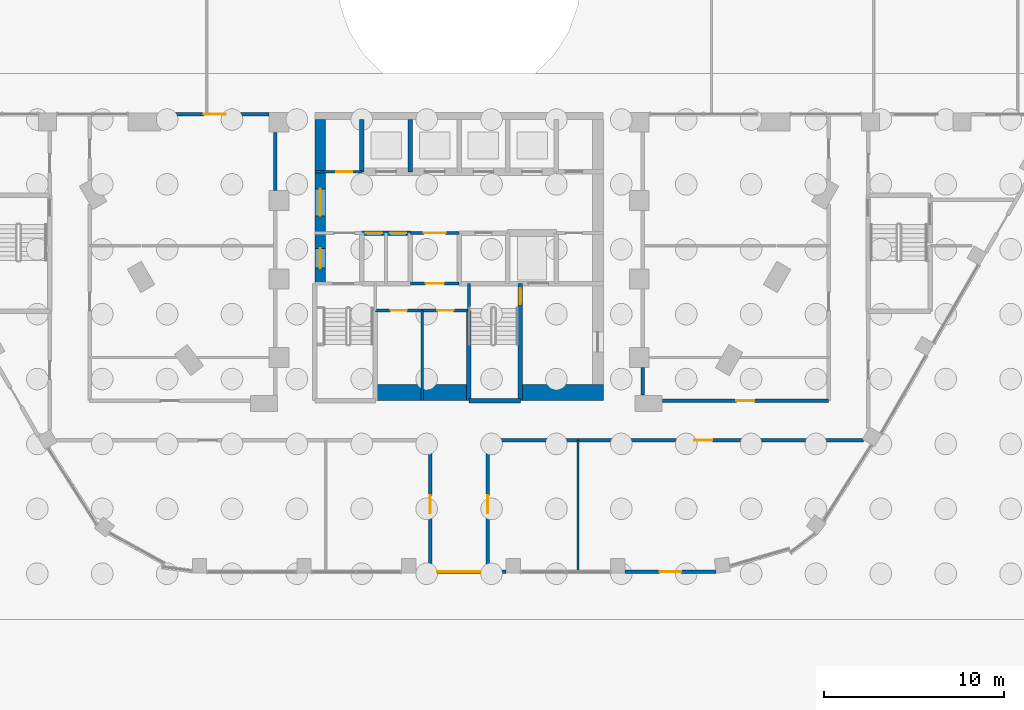
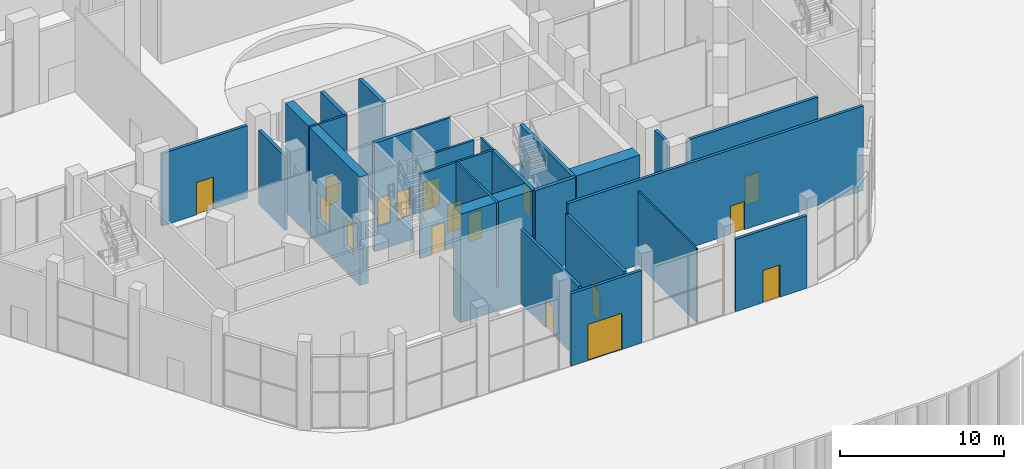
# One storey, part 25 of 44: 25 walls, 17 doors, 17 openings.
"""IFC4 building model written with IfcOpenShell, lengths in metres."""

from ifc_helpers import new_model, si_unit, direction, frame, frame_2d, origin, place, context, subcontext, project, spatial, rectangle, extrude, material, layer, layer_set, type_object, element, fill, save


model = new_model("IFC4")

# Units and contexts
model_context = context("Model", 3, precision=1e-05, world=origin(), true_north=direction((0.0, 1.0)))
body_context = subcontext(model_context, "Body", "Model", "MODEL_VIEW")
ifc_project = project(units=[si_unit("LENGTHUNIT", "METRE"), si_unit("AREAUNIT", "SQUARE_METRE"), si_unit("VOLUMEUNIT", "CUBIC_METRE"), si_unit("PLANEANGLEUNIT", "RADIAN"), si_unit("MASSUNIT", "GRAM", prefix="KILO")], contexts=[model_context])

# Site, building, storey
site_placement = place(None, origin())
site = spatial("IfcSite", under=ifc_project, at=site_placement, CompositionType="ELEMENT")
building_placement = place(site_placement, origin())
building = spatial("IfcBuilding", under=site, at=building_placement, Name="Nakaniwa Court", CompositionType="ELEMENT")
storey_placement = place(building_placement, origin())
storey = spatial("IfcBuildingStorey", under=building, at=storey_placement, Name="L00", CompositionType="ELEMENT", Elevation=0.0)

# Wall, opening, door
ifc_material_1 = material(Name="Acoustic double stud partition")
ifc_layer_1 = layer(ifc_material_1, 0.199951171875)
ifc_layer_set_1 = layer_set([ifc_layer_1], Name="Acoustic double stud partition")
wall_type_1 = type_object("IfcWallType", Name="Acoustic double stud partition 200", PredefinedType="PARTITIONING", material=ifc_layer_set_1)
wall_1_placement = place(storey_placement, frame((81.60009765625, 54.39990234375, 0.0), z_axis=(0.0, 0.0, 1.0), x_axis=(0.0, -1.0, 0.0)))
wall_1 = element("IfcWall", 1, at=wall_1_placement, inside=storey, type_object=wall_type_1, Name="Partition PW-099", PredefinedType="PARTITIONING", context=body_context, shape_type="SweptSolid", body=[
    extrude(rectangle(XDim=7.099853515625, YDim=0.199951171875, at=frame_2d((3.5498046875, 0.0))), origin(), (0.0, 0.0, 1.0), 5.530029296875),
])
opening_1_placement = place(wall_1_placement, frame((3.050048828125, 0.0, 0.0)))
opening_1 = element("IfcOpeningElement", 2, at=opening_1_placement, cuts=wall_1, Name="Opening D-02-25", PredefinedType="OPENING", context=body_context, shape_type="SweptSolid", body=[
    extrude(rectangle(XDim=1.0, YDim=2.10009765625, at=frame_2d((0.5, 1.050048828125))), frame((0.0, 0.10986328125, 0.0), z_axis=(0.0, -1.0, 0.0), x_axis=(1.0, 0.0, 0.0)), (0.0, 0.0, 1.0), 0.219970703125),
])
ifc_material_2 = material(Name="Solid core timber door set, black veneer", Category="wood")
door_type_1 = type_object("IfcDoorType", Name="Internal door 1000", OperationType="NOTDEFINED", PredefinedType="DOOR", material=ifc_material_2)
door_1_placement = place(opening_1_placement, origin())
door_1 = element("IfcDoor", 3, at=door_1_placement, inside=storey, type_object=door_type_1, Name="Door D-02-25 L00-061", OperationType="SINGLE_SWING_RIGHT", OverallHeight=2.10009765625, OverallWidth=1.0, PredefinedType="DOOR", context=body_context, shape_type="SweptSolid", body=[
    extrude(rectangle(XDim=1.0, YDim=2.10009765625, at=frame_2d((0.5, 1.050048828125))), frame((0.0, 0.02490234375, 0.0), z_axis=(0.0, -1.0, 0.0), x_axis=(1.0, 0.0, 0.0)), (0.0, 0.0, 1.0), 0.050048828125),
])
fill(opening_1, door_1)

wall_2_placement = place(storey_placement, frame((78.39990234375, 47.300048828125, 0.0), z_axis=(0.0, 0.0, 1.0), x_axis=(0.0, 1.0, 0.0)))
wall_2 = element("IfcWall", 4, at=wall_2_placement, inside=storey, type_object=wall_type_1, Name="Partition PW-101", PredefinedType="PARTITIONING", context=body_context, shape_type="SweptSolid", body=[
    extrude(rectangle(XDim=7.099853515625, YDim=0.199951171875, at=frame_2d((3.5498046875, 0.0))), origin(), (0.0, 0.0, 1.0), 5.530029296875),
])
opening_2_placement = place(wall_2_placement, frame((3.050048828125, 0.0, 0.0)))
opening_2 = element("IfcOpeningElement", 5, at=opening_2_placement, cuts=wall_2, Name="Opening D-02-26", PredefinedType="OPENING", context=body_context, shape_type="SweptSolid", body=[
    extrude(rectangle(XDim=1.0, YDim=2.10009765625, at=frame_2d((0.5, 1.050048828125))), frame((0.0, 0.10986328125, 0.0), z_axis=(0.0, -1.0, 0.0), x_axis=(1.0, 0.0, 0.0)), (0.0, 0.0, 1.0), 0.219970703125),
])
door_2_placement = place(opening_2_placement, origin())
door_2 = element("IfcDoor", 6, at=door_2_placement, inside=storey, type_object=door_type_1, Name="Door D-02-26 L00-062", OperationType="SINGLE_SWING_LEFT", OverallHeight=2.10009765625, OverallWidth=1.0, PredefinedType="DOOR", context=body_context, shape_type="SweptSolid", body=[
    extrude(rectangle(XDim=1.0, YDim=2.10009765625, at=frame_2d((0.5, 1.050048828125))), frame((0.0, 0.02490234375, 0.0), z_axis=(0.0, -1.0, 0.0), x_axis=(1.0, 0.0, 0.0)), (0.0, 0.0, 1.0), 0.050048828125),
])
fill(opening_2, door_2)

# Walls
wall_3_placement = place(storey_placement, frame((90.199951171875, 56.9169921875, 0.0), z_axis=(0.0, 0.0, 1.0), x_axis=(0.0, 1.0, 0.0)))
element("IfcWall", 7, at=wall_3_placement, inside=storey, type_object=wall_type_1, Name="Partition PW-103", PredefinedType="PARTITIONING", context=body_context, shape_type="SweptSolid", body=[
    extrude(rectangle(XDim=1.51611328125, YDim=0.199951171875, at=frame_2d((0.758056640625, 0.0))), origin(), (0.0, 0.0, 1.0), 6.300048828125),
])
wall_4_placement = place(storey_placement, frame((69.800048828125, 68.26708984375, 0.0), z_axis=(0.0, 0.0, 1.0), x_axis=(0.0, 1.0, 0.0)))
element("IfcWall", 8, at=wall_4_placement, inside=storey, type_object=wall_type_1, Name="Partition PW-118", PredefinedType="PARTITIONING", context=body_context, shape_type="SweptSolid", body=[
    extrude(rectangle(XDim=3.2158203125, YDim=0.199951171875, at=frame_2d((1.60791015625, 0.0))), origin(), (0.0, 0.0, 1.0), 5.530029296875),
])

# Wall, opening, door
wall_5_placement = place(storey_placement, frame((102.43408203125, 54.39990234375, 0.0), z_axis=(0.0, 0.0, 1.0), x_axis=(-1.0, 0.0, 0.0)))
wall_5 = element("IfcWall", 9, at=wall_5_placement, inside=storey, type_object=wall_type_1, Name="Partition PW-143", PredefinedType="PARTITIONING", context=body_context, shape_type="SweptSolid", body=[
    extrude(rectangle(XDim=20.833984375, YDim=0.199951171875, at=frame_2d((10.4169921875, 0.0))), origin(), (0.0, 0.0, 1.0), 6.300048828125),
])
opening_3_placement = place(wall_5_placement, frame((8.383056640625, 0.0, 0.0)))
opening_3 = element("IfcOpeningElement", 10, at=opening_3_placement, cuts=wall_5, Name="Opening D-02-24", PredefinedType="OPENING", context=body_context, shape_type="SweptSolid", body=[
    extrude(rectangle(XDim=1.0, YDim=2.10009765625, at=frame_2d((0.5, 1.050048828125))), frame((0.0, 0.10986328125, 0.0), z_axis=(0.0, -1.0, 0.0), x_axis=(1.0, 0.0, 0.0)), (0.0, 0.0, 1.0), 0.219970703125),
])
door_3_placement = place(opening_3_placement, origin())
door_3 = element("IfcDoor", 11, at=door_3_placement, inside=storey, type_object=door_type_1, Name="Door D-02-24 L00-060", OperationType="SINGLE_SWING_LEFT", OverallHeight=2.10009765625, OverallWidth=1.0, PredefinedType="DOOR", context=body_context, shape_type="SweptSolid", body=[
    extrude(rectangle(XDim=1.0, YDim=2.10009765625, at=frame_2d((0.5, 1.050048828125))), frame((0.0, 0.02490234375, 0.0), z_axis=(0.0, -1.0, 0.0), x_axis=(1.0, 0.0, 0.0)), (0.0, 0.0, 1.0), 0.050048828125),
])
fill(opening_3, door_3)

wall_6_placement = place(storey_placement, frame((91.274169921875, 56.60009765625, 0.0), z_axis=(0.0, 0.0, 1.0), x_axis=(1.0, 0.0, 0.0)))
wall_6 = element("IfcWall", 12, at=wall_6_placement, inside=storey, type_object=wall_type_1, Name="Partition PW-145", PredefinedType="PARTITIONING", context=body_context, shape_type="SweptSolid", body=[
    extrude(rectangle(XDim=9.223876953125, YDim=0.199951171875, at=frame_2d((4.61181640625, 0.0))), origin(), (0.0, 0.0, 1.0), 6.300048828125),
])
opening_4_placement = place(wall_6_placement, frame((4.114013671875, 0.0, 0.0)))
opening_4 = element("IfcOpeningElement", 13, at=opening_4_placement, cuts=wall_6, Name="Opening D-02-19", PredefinedType="OPENING", context=body_context, shape_type="SweptSolid", body=[
    extrude(rectangle(XDim=1.0, YDim=2.10009765625, at=frame_2d((0.5, 1.050048828125))), frame((0.0, 0.10986328125, 0.0), z_axis=(0.0, -1.0, 0.0), x_axis=(1.0, 0.0, 0.0)), (0.0, 0.0, 1.0), 0.219970703125),
])
door_4_placement = place(opening_4_placement, origin())
door_4 = element("IfcDoor", 14, at=door_4_placement, inside=storey, type_object=door_type_1, Name="Door D-02-19 L00-055", OperationType="SINGLE_SWING_RIGHT", OverallHeight=2.10009765625, OverallWidth=1.0, PredefinedType="DOOR", context=body_context, shape_type="SweptSolid", body=[
    extrude(rectangle(XDim=1.0, YDim=2.10009765625, at=frame_2d((0.5, 1.050048828125))), frame((0.0, 0.02490234375, 0.0), z_axis=(0.0, -1.0, 0.0), x_axis=(1.0, 0.0, 0.0)), (0.0, 0.0, 1.0), 0.050048828125),
])
fill(opening_4, door_4)

ifc_material_3 = material(Name="Charcoal ceramic cladding")
ifc_layer_2 = layer(ifc_material_3, 0.02, Name="Ceramic cladding")
ifc_material_4 = material(Name="Ventilated air cavity")
ifc_layer_3 = layer(ifc_material_4, 0.04, ventilated=True, Name="Ventilated cavity")
ifc_material_5 = material(Name="Mineral wool insulation")
ifc_layer_4 = layer(ifc_material_5, 0.05, Name="Insulation")
ifc_material_6 = material(Name="Cement bonded sheathing board")
ifc_layer_5 = layer(ifc_material_6, 0.012, Name="Sheathing")
ifc_material_7 = material(Name="Cold-formed galvanised stud frame with mineral wool infill")
ifc_layer_6 = layer(ifc_material_7, 0.05, Name="Stud frame")
ifc_material_8 = material(Name="Fire-rated gypsum plasterboard lining")
ifc_layer_7 = layer(ifc_material_8, 0.028, Name="Lining")
ifc_layer_set_2 = layer_set([ifc_layer_2, ifc_layer_3, ifc_layer_4, ifc_layer_5, ifc_layer_6, ifc_layer_7], Name="Charcoal ceramic faced external wall system")
wall_type_2 = type_object("IfcWallType", Name="Black ceramic faced external wall 200", PredefinedType="SOLIDWALL", material=ifc_layer_set_2)
wall_7_placement = place(storey_placement, frame((69.4541015625, 72.5, 0.0), z_axis=(0.0, 0.0, 1.0), x_axis=(-1.0, 0.0, 0.0)))
wall_7 = element("IfcWall", 15, at=wall_7_placement, inside=storey, type_object=wall_type_2, Name="L00 entrance wall 08", PredefinedType="SOLIDWALL", context=body_context, shape_type="SweptSolid", body=[
    extrude(rectangle(XDim=6.01611328125, YDim=0.199951171875, at=frame_2d((3.008056640625, 0.0))), origin(), (0.0, 0.0, 1.0), 5.39990234375),
])
opening_5_placement = place(wall_7_placement, frame((2.407958984375, 0.0, 0.0)))
opening_5 = element("IfcOpeningElement", 16, at=opening_5_placement, cuts=wall_7, Name="Opening XD3.04", PredefinedType="OPENING", context=body_context, shape_type="SweptSolid", body=[
    extrude(rectangle(XDim=1.199951171875, YDim=2.39990234375, at=frame_2d((0.60009765625, 1.199951171875))), frame((0.0, 0.10986328125, 0.0), z_axis=(0.0, -1.0, 0.0), x_axis=(1.0, 0.0, 0.0)), (0.0, 0.0, 1.0), 0.219970703125),
])
ifc_material_9 = material(Name="Black powder-coated aluminium frame with dark laminated glass", Category="aluminium")
door_type_2 = type_object("IfcDoorType", Name="Service door 1200x2400", OperationType="SINGLE_SWING_LEFT", PredefinedType="DOOR", material=ifc_material_9)
door_5_placement = place(opening_5_placement, origin())
door_5 = element("IfcDoor", 17, at=door_5_placement, inside=storey, type_object=door_type_2, Name="L00 service door 08-0", OperationType="SINGLE_SWING_LEFT", OverallHeight=2.39990234375, OverallWidth=1.199951171875, PredefinedType="DOOR", context=body_context, shape_type="SweptSolid", body=[
    extrude(rectangle(XDim=1.199951171875, YDim=2.39990234375, at=frame_2d((0.60009765625, 1.199951171875))), frame((0.0, 0.02490234375, 0.0), z_axis=(0.0, -1.0, 0.0), x_axis=(1.0, 0.0, 0.0)), (0.0, 0.0, 1.0), 0.050048828125),
])
fill(opening_5, door_5)

wall_8_placement = place(storey_placement, frame((77.59619140625, 47.10009765625, 0.0), z_axis=(0.0, 0.0, 1.0), x_axis=(1.0, 0.0, 0.0)))
wall_8 = element("IfcWall", 18, at=wall_8_placement, inside=storey, type_object=wall_type_2, Name="L00 entrance wall 21", PredefinedType="SOLIDWALL", context=body_context, shape_type="SweptSolid", body=[
    extrude(rectangle(XDim=5.01025390625, YDim=0.199951171875, at=frame_2d((2.505126953125, 0.0))), origin(), (0.0, 0.0, 1.0), 5.39990234375),
])
opening_6_placement = place(wall_8_placement, frame((1.20361328125, 0.0, 0.0)))
opening_6 = element("IfcOpeningElement", 19, at=opening_6_placement, cuts=wall_8, Name="Opening XD5.08", PredefinedType="OPENING", context=body_context, shape_type="SweptSolid", body=[
    extrude(rectangle(XDim=2.39990234375, YDim=2.699951171875, at=frame_2d((1.199951171875, 1.35009765625))), frame((0.0, 0.10986328125, 0.0), z_axis=(0.0, -1.0, 0.0), x_axis=(1.0, 0.0, 0.0)), (0.0, 0.0, 1.0), 0.219970703125),
])
door_type_3 = type_object("IfcDoorType", Name="Entrance double door 2400x2700", OperationType="DOUBLE_DOOR_DOUBLE_SWING", PredefinedType="DOOR", material=ifc_material_9)
door_6_placement = place(opening_6_placement, frame((2.39990234375, 0.0, 0.0), z_axis=(0.0, 0.0, 1.0), x_axis=(-1.0, 0.0, 0.0)))
door_6 = element("IfcDoor", 20, at=door_6_placement, inside=storey, type_object=door_type_3, Name="L00 entrance double door 21-0", OperationType="DOUBLE_DOOR_DOUBLE_SWING", OverallHeight=2.699951171875, OverallWidth=2.39990234375, PredefinedType="DOOR", context=body_context, shape_type="SweptSolid", body=[
    extrude(rectangle(XDim=2.39990234375, YDim=2.699951171875, at=frame_2d((1.199951171875, 1.35009765625))), frame((0.0, 0.02490234375, 0.0), z_axis=(0.0, -1.0, 0.0), x_axis=(1.0, 0.0, 0.0)), (0.0, 0.0, 1.0), 0.050048828125),
])
fill(opening_6, door_6)

wall_9_placement = place(storey_placement, frame((89.20068359375, 47.10009765625, 0.0), z_axis=(0.0, 0.0, 1.0), x_axis=(1.0, 0.0, 0.0)))
wall_9 = element("IfcWall", 21, at=wall_9_placement, inside=storey, type_object=wall_type_2, Name="L00 entrance wall 23", PredefinedType="SOLIDWALL", context=body_context, shape_type="SweptSolid", body=[
    extrude(rectangle(XDim=5.048095703125, YDim=0.199951171875, at=frame_2d((2.52392578125, 0.0))), origin(), (0.0, 0.0, 1.0), 5.39990234375),
])
opening_7_placement = place(wall_9_placement, frame((1.924072265625, 0.0, 0.0)))
opening_7 = element("IfcOpeningElement", 22, at=opening_7_placement, cuts=wall_9, Name="Opening XD3.09", PredefinedType="OPENING", context=body_context, shape_type="SweptSolid", body=[
    extrude(rectangle(XDim=1.199951171875, YDim=2.39990234375, at=frame_2d((0.60009765625, 1.199951171875))), frame((0.0, 0.10986328125, 0.0), z_axis=(0.0, -1.0, 0.0), x_axis=(1.0, 0.0, 0.0)), (0.0, 0.0, 1.0), 0.219970703125),
])
door_7_placement = place(opening_7_placement, frame((1.199951171875, 0.0, 0.0), z_axis=(0.0, 0.0, 1.0), x_axis=(-1.0, 0.0, 0.0)))
door_7 = element("IfcDoor", 23, at=door_7_placement, inside=storey, type_object=door_type_2, Name="L00 service door 23-0", OperationType="SINGLE_SWING_LEFT", OverallHeight=2.39990234375, OverallWidth=1.199951171875, PredefinedType="DOOR", context=body_context, shape_type="SweptSolid", body=[
    extrude(rectangle(XDim=1.199951171875, YDim=2.39990234375, at=frame_2d((0.60009765625, 1.199951171875))), frame((0.0, 0.02490234375, 0.0), z_axis=(0.0, -1.0, 0.0), x_axis=(1.0, 0.0, 0.0)), (0.0, 0.0, 1.0), 0.050048828125),
])
fill(opening_7, door_7)

ifc_material_10 = material(Name="Blockwork partition", Category="masonry")
ifc_layer_8 = layer(ifc_material_10, 0.14990234375)
ifc_layer_set_3 = layer_set([ifc_layer_8], Name="Blockwork partition")
wall_type_3 = type_object("IfcWallType", Name="Blockwork partition 150", PredefinedType="PARTITIONING", material=ifc_layer_set_3)
wall_10_placement = place(storey_placement, frame((72.0, 69.300048828125, 0.0), z_axis=(0.0, 0.0, 1.0), x_axis=(1.0, 0.0, 0.0)))
wall_10 = element("IfcWall", 24, at=wall_10_placement, inside=storey, type_object=wall_type_3, Name="Partition PW-041", PredefinedType="PARTITIONING", context=body_context, shape_type="SweptSolid", body=[
    extrude(rectangle(XDim=2.60009765625, YDim=0.14990234375, at=frame_2d((1.300048828125, 0.0))), origin(), (0.0, 0.0, 1.0), 6.300048828125),
])
opening_8_placement = place(wall_10_placement, frame((1.175048828125, 0.0, 0.0)))
opening_8 = element("IfcOpeningElement", 25, at=opening_8_placement, cuts=wall_10, Name="Opening D-05-09", PredefinedType="OPENING", context=body_context, shape_type="SweptSolid", body=[
    extrude(rectangle(XDim=0.89990234375, YDim=2.10009765625, at=frame_2d((0.449951171875, 1.050048828125))), frame((0.0, 0.0849609375, 0.0), z_axis=(0.0, -1.0, 0.0), x_axis=(1.0, 0.0, 0.0)), (0.0, 0.0, 1.0), 0.169921875),
])
ifc_material_11 = material(Name="Fire rated steel door set", Category="steel")
door_type_4 = type_object("IfcDoorType", Name="Service room door 900", OperationType="NOTDEFINED", PredefinedType="DOOR", material=ifc_material_11)
door_8_placement = place(opening_8_placement, origin())
door_8 = element("IfcDoor", 26, at=door_8_placement, inside=storey, type_object=door_type_4, Name="Door D-05-09 L00-014", OperationType="SINGLE_SWING_LEFT", OverallHeight=2.10009765625, OverallWidth=0.89990234375, PredefinedType="DOOR", context=body_context, shape_type="SweptSolid", body=[
    extrude(rectangle(XDim=0.89990234375, YDim=2.10009765625, at=frame_2d((0.449951171875, 1.050048828125))), frame((0.0, 0.02490234375, 0.0), z_axis=(0.0, -1.0, 0.0), x_axis=(1.0, 0.0, 0.0)), (0.0, 0.0, 1.0), 0.050048828125),
])
fill(opening_8, door_8)

wall_11_placement = place(storey_placement, frame((80.0029296875, 65.89990234375, 0.0), z_axis=(0.0, 0.0, 1.0), x_axis=(-1.0, 0.0, 0.0)))
wall_11 = element("IfcWall", 27, at=wall_11_placement, inside=storey, type_object=wall_type_3, Name="Partition PW-055", PredefinedType="PARTITIONING", context=body_context, shape_type="SweptSolid", body=[
    extrude(rectangle(XDim=2.705810546875, YDim=0.14990234375, at=frame_2d((1.35302734375, 0.0))), origin(), (0.0, 0.0, 1.0), 6.300048828125),
])
opening_9_placement = place(wall_11_placement, frame((0.7529296875, 0.0, 0.0)))
opening_9 = element("IfcOpeningElement", 28, at=opening_9_placement, cuts=wall_11, Name="Opening D-06-02", PredefinedType="OPENING", context=body_context, shape_type="SweptSolid", body=[
    extrude(rectangle(XDim=1.199951171875, YDim=2.10009765625, at=frame_2d((0.60009765625, 1.050048828125))), frame((0.0, 0.0849609375, 0.0), z_axis=(0.0, -1.0, 0.0), x_axis=(1.0, 0.0, 0.0)), (0.0, 0.0, 1.0), 0.169921875),
])
ifc_material_12 = material(Name="Fire rated steel double door set", Category="steel")
door_type_5 = type_object("IfcDoorType", Name="Service passage double door 1200", OperationType="NOTDEFINED", PredefinedType="DOOR", material=ifc_material_12)
door_9_placement = place(opening_9_placement, origin())
door_9 = element("IfcDoor", 29, at=door_9_placement, inside=storey, type_object=door_type_5, Name="Door D-06-02 L00-019", OperationType="DOUBLE_DOOR_SINGLE_SWING", OverallHeight=2.10009765625, OverallWidth=1.199951171875, PredefinedType="DOOR", context=body_context, shape_type="SweptSolid", body=[
    extrude(rectangle(XDim=1.199951171875, YDim=2.10009765625, at=frame_2d((0.60009765625, 1.050048828125))), frame((0.0, 0.02490234375, 0.0), z_axis=(0.0, -1.0, 0.0), x_axis=(1.0, 0.0, 0.0)), (0.0, 0.0, 1.0), 0.050048828125),
])
fill(opening_9, door_9)

wall_12_placement = place(storey_placement, frame((80.0, 63.10009765625, 0.0), z_axis=(0.0, 0.0, 1.0), x_axis=(-1.0, 0.0, 0.0)))
wall_12 = element("IfcWall", 30, at=wall_12_placement, inside=storey, type_object=wall_type_3, Name="Partition PW-064", PredefinedType="PARTITIONING", context=body_context, shape_type="SweptSolid", body=[
    extrude(rectangle(XDim=2.699951171875, YDim=0.14990234375, at=frame_2d((1.35009765625, 0.0))), origin(), (0.0, 0.0, 1.0), 6.300048828125),
])
opening_10_placement = place(wall_12_placement, frame((0.85009765625, 0.0, 0.0)))
opening_10 = element("IfcOpeningElement", 31, at=opening_10_placement, cuts=wall_12, Name="Opening D-23-02", PredefinedType="OPENING", context=body_context, shape_type="SweptSolid", body=[
    extrude(rectangle(XDim=1.0, YDim=2.10009765625, at=frame_2d((0.5, 1.050048828125))), frame((0.0, 0.0849609375, 0.0), z_axis=(0.0, -1.0, 0.0), x_axis=(1.0, 0.0, 0.0)), (0.0, 0.0, 1.0), 0.169921875),
])
door_type_6 = type_object("IfcDoorType", Name="Service room door 1000", OperationType="NOTDEFINED", PredefinedType="DOOR", material=ifc_material_11)
door_10_placement = place(opening_10_placement, origin())
door_10 = element("IfcDoor", 32, at=door_10_placement, inside=storey, type_object=door_type_6, Name="Door D-23-02 L00-022", OperationType="SINGLE_SWING_LEFT", OverallHeight=2.10009765625, OverallWidth=1.0, PredefinedType="DOOR", context=body_context, shape_type="SweptSolid", body=[
    extrude(rectangle(XDim=1.0, YDim=2.10009765625, at=frame_2d((0.5, 1.050048828125))), frame((0.0, 0.02490234375, 0.0), z_axis=(0.0, -1.0, 0.0), x_axis=(1.0, 0.0, 0.0)), (0.0, 0.0, 1.0), 0.050048828125),
])
fill(opening_10, door_10)

# Wall, openings, doors
wall_13_placement = place(storey_placement, frame((80.550048828125, 61.60009765625, 0.0), z_axis=(0.0, 0.0, 1.0), x_axis=(-1.0, 0.0, 0.0)))
wall_13 = element("IfcWall", 33, at=wall_13_placement, inside=storey, type_object=wall_type_3, Name="Partition PW-075", PredefinedType="PARTITIONING", context=body_context, shape_type="SweptSolid", body=[
    extrude(rectangle(XDim=5.199951171875, YDim=0.14990234375, at=frame_2d((2.60009765625, 0.0))), origin(), (0.0, 0.0, 1.0), 6.300048828125),
])
opening_11_placement = place(wall_13_placement, frame((3.449951171875, 0.0, 0.0)))
opening_11 = element("IfcOpeningElement", 34, at=opening_11_placement, cuts=wall_13, Name="Opening D-05-15", PredefinedType="OPENING", context=body_context, shape_type="SweptSolid", body=[
    extrude(rectangle(XDim=0.89990234375, YDim=2.10009765625, at=frame_2d((0.449951171875, 1.050048828125))), frame((0.0, 0.0849609375, 0.0), z_axis=(0.0, -1.0, 0.0), x_axis=(1.0, 0.0, 0.0)), (0.0, 0.0, 1.0), 0.169921875),
])
opening_12_placement = place(wall_13_placement, frame((0.85009765625, 0.0, 0.0)))
opening_12 = element("IfcOpeningElement", 35, at=opening_12_placement, cuts=wall_13, Name="Opening D-05-16", PredefinedType="OPENING", context=body_context, shape_type="SweptSolid", body=[
    extrude(rectangle(XDim=0.89990234375, YDim=2.10009765625, at=frame_2d((0.449951171875, 1.050048828125))), frame((0.0, 0.0849609375, 0.0), z_axis=(0.0, -1.0, 0.0), x_axis=(1.0, 0.0, 0.0)), (0.0, 0.0, 1.0), 0.169921875),
])
door_11_placement = place(opening_11_placement, origin())
door_11 = element("IfcDoor", 36, at=door_11_placement, inside=storey, type_object=door_type_4, Name="Door D-05-15 L00-023", OperationType="SINGLE_SWING_RIGHT", OverallHeight=2.10009765625, OverallWidth=0.89990234375, PredefinedType="DOOR", context=body_context, shape_type="SweptSolid", body=[
    extrude(rectangle(XDim=0.89990234375, YDim=2.10009765625, at=frame_2d((0.449951171875, 1.050048828125))), frame((0.0, 0.02490234375, 0.0), z_axis=(0.0, -1.0, 0.0), x_axis=(1.0, 0.0, 0.0)), (0.0, 0.0, 1.0), 0.050048828125),
])
fill(opening_11, door_11)
door_12_placement = place(opening_12_placement, origin())
door_12 = element("IfcDoor", 37, at=door_12_placement, inside=storey, type_object=door_type_4, Name="Door D-05-16 L00-024", OperationType="SINGLE_SWING_LEFT", OverallHeight=2.10009765625, OverallWidth=0.89990234375, PredefinedType="DOOR", context=body_context, shape_type="SweptSolid", body=[
    extrude(rectangle(XDim=0.89990234375, YDim=2.10009765625, at=frame_2d((0.449951171875, 1.050048828125))), frame((0.0, 0.02490234375, 0.0), z_axis=(0.0, -1.0, 0.0), x_axis=(1.0, 0.0, 0.0)), (0.0, 0.0, 1.0), 0.050048828125),
])
fill(opening_12, door_12)

# Wall
wall_14_placement = place(storey_placement, frame((77.949951171875, 56.60009765625, 0.0), z_axis=(0.0, 0.0, 1.0), x_axis=(0.0, 1.0, 0.0)))
element("IfcWall", 38, at=wall_14_placement, inside=storey, type_object=wall_type_3, Name="Partition PW-076", PredefinedType="PARTITIONING", context=body_context, shape_type="SweptSolid", body=[
    extrude(rectangle(XDim=5.0, YDim=0.14990234375, at=frame_2d((2.5, 0.0))), origin(), (0.0, 0.0, 1.0), 6.300048828125),
])

# Wall, openings, doors
ifc_material_13 = material(Name="Concrete C100/115", Category="concrete")
ifc_layer_9 = layer(ifc_material_13, 0.60009765625)
ifc_layer_set_4 = layer_set([ifc_layer_9], Name="Concrete C100/115")
wall_type_4 = type_object("IfcWallType", Name="Concrete core side wall 600 C100", PredefinedType="SHEAR", material=ifc_layer_set_4)
wall_15_placement = place(storey_placement, frame((72.300048828125, 72.199951171875, -1.800048828125), z_axis=(0.0, 0.0, 1.0), x_axis=(0.0, -1.0, 0.0)))
wall_15 = element("IfcWall", 39, at=wall_15_placement, inside=storey, type_object=wall_type_4, Name="Core wall SW-42", PredefinedType="SHEAR", context=body_context, shape_type="SweptSolid", body=[
    extrude(rectangle(XDim=9.099853515625, YDim=0.60009765625, at=frame_2d((4.5498046875, 0.0))), origin(), (0.0, 0.0, 1.0), 8.10009765625),
])
opening_13_placement = place(wall_15_placement, frame((7.14990234375, 0.0, 1.800048828125)))
opening_13 = element("IfcOpeningElement", 40, at=opening_13_placement, cuts=wall_15, Name="Opening D-09-06", PredefinedType="OPENING", context=body_context, shape_type="SweptSolid", body=[
    extrude(rectangle(XDim=1.10009765625, YDim=2.10009765625, at=frame_2d((0.550048828125, 1.050048828125))), frame((0.0, 0.31005859375, 0.0), z_axis=(0.0, -1.0, 0.0), x_axis=(1.0, 0.0, 0.0)), (0.0, 0.0, 1.0), 0.6201171875),
])
opening_14_placement = place(wall_15_placement, frame((3.85009765625, 0.0, 1.800048828125)))
opening_14 = element("IfcOpeningElement", 41, at=opening_14_placement, cuts=wall_15, Name="Opening D-07-02", PredefinedType="OPENING", context=body_context, shape_type="SweptSolid", body=[
    extrude(rectangle(XDim=1.5, YDim=2.10009765625, at=frame_2d((0.75, 1.050048828125))), frame((0.0, 0.31005859375, 0.0), z_axis=(0.0, -1.0, 0.0), x_axis=(1.0, 0.0, 0.0)), (0.0, 0.0, 1.0), 0.6201171875),
])
ifc_material_14 = material(Name="Glazed fire rated steel double door set", Category="steel")
door_type_7 = type_object("IfcDoorType", Name="Lobby double door 1500", OperationType="NOTDEFINED", PredefinedType="DOOR", material=ifc_material_14)
door_13_placement = place(opening_14_placement, origin())
door_13 = element("IfcDoor", 42, at=door_13_placement, inside=storey, type_object=door_type_7, Name="Door D-07-02 L00-070", OperationType="DOUBLE_DOOR_SINGLE_SWING", OverallHeight=2.10009765625, OverallWidth=1.5, PredefinedType="DOOR", context=body_context, shape_type="SweptSolid", body=[
    extrude(rectangle(XDim=1.5, YDim=2.10009765625, at=frame_2d((0.75, 1.050048828125))), frame((0.0, 0.02490234375, 0.0), z_axis=(0.0, -1.0, 0.0), x_axis=(1.0, 0.0, 0.0)), (0.0, 0.0, 1.0), 0.050048828125),
])
fill(opening_14, door_13)
door_type_8 = type_object("IfcDoorType", Name="Stair door 1100", OperationType="NOTDEFINED", PredefinedType="DOOR", material=ifc_material_11)
door_14_placement = place(opening_13_placement, origin())
door_14 = element("IfcDoor", 43, at=door_14_placement, inside=storey, type_object=door_type_8, Name="Door D-09-06 L00-044", OperationType="SINGLE_SWING_RIGHT", OverallHeight=2.10009765625, OverallWidth=1.10009765625, PredefinedType="DOOR", context=body_context, shape_type="SweptSolid", body=[
    extrude(rectangle(XDim=1.10009765625, YDim=2.10009765625, at=frame_2d((0.550048828125, 1.050048828125))), frame((0.0, 0.02490234375, 0.0), z_axis=(0.0, -1.0, 0.0), x_axis=(1.0, 0.0, 0.0)), (0.0, 0.0, 1.0), 0.050048828125),
])
fill(opening_13, door_14)

# Walls
ifc_layer_10 = layer(ifc_material_13, 0.14990234375)
ifc_layer_set_5 = layer_set([ifc_layer_10], Name="Concrete C100/115")
wall_type_5 = type_object("IfcWallType", Name="Concrete core wall 150 C100", PredefinedType="SHEAR", material=ifc_layer_set_5)
wall_16_placement = place(storey_placement, frame((80.550048828125, 61.596923828125, -1.800048828125), z_axis=(0.0, 0.0, 1.0), x_axis=(0.0, 1.0, 0.0)))
element("IfcWall", 44, at=wall_16_placement, inside=storey, type_object=wall_type_5, Name="Core wall SW-71", PredefinedType="SHEAR", context=body_context, shape_type="SweptSolid", body=[
    extrude(rectangle(XDim=1.503173828125, YDim=0.14990234375, at=frame_2d((0.75146484375, 0.0))), origin(), (0.0, 0.0, 1.0), 8.10009765625),
])
ifc_layer_11 = layer(ifc_material_13, 0.25)
ifc_layer_set_6 = layer_set([ifc_layer_11], Name="Concrete C100/115")
wall_type_6 = type_object("IfcWallType", Name="Concrete core wall 250 C100", PredefinedType="SHEAR", material=ifc_layer_set_6)
wall_17_placement = place(storey_placement, frame((80.550048828125, 56.60009765625, -1.800048828125), z_axis=(0.0, 0.0, 1.0), x_axis=(1.0, 0.0, 0.0)))
element("IfcWall", 45, at=wall_17_placement, inside=storey, type_object=wall_type_6, Name="Core wall SW-69", PredefinedType="SHEAR", context=body_context, shape_type="SweptSolid", body=[
    extrude(rectangle(XDim=2.849853515625, YDim=0.25, at=frame_2d((1.4248046875, 0.0))), origin(), (0.0, 0.0, 1.0), 8.10009765625),
])
ifc_layer_12 = layer(ifc_material_13, 0.89990234375)
ifc_layer_set_7 = layer_set([ifc_layer_12], Name="Concrete C100/115")
wall_type_7 = type_object("IfcWallType", Name="Concrete core wall 900 C100", PredefinedType="SHEAR", material=ifc_layer_set_7)
wall_18_placement = place(storey_placement, frame((75.35009765625, 57.050048828125, -1.800048828125), z_axis=(0.0, 0.0, 1.0), x_axis=(1.0, 0.0, 0.0)))
element("IfcWall", 46, at=wall_18_placement, inside=storey, type_object=wall_type_7, Name="Core wall SW-73", PredefinedType="SHEAR", context=body_context, shape_type="SweptSolid", body=[
    extrude(rectangle(XDim=5.199951171875, YDim=0.89990234375, at=frame_2d((2.60009765625, 0.0))), origin(), (0.0, 0.0, 1.0), 8.10009765625),
])
wall_19_placement = place(storey_placement, frame((83.39990234375, 57.050048828125, -1.800048828125), z_axis=(0.0, 0.0, 1.0), x_axis=(1.0, 0.0, 0.0)))
element("IfcWall", 47, at=wall_19_placement, inside=storey, type_object=wall_type_7, Name="Core wall SW-74", PredefinedType="SHEAR", context=body_context, shape_type="SweptSolid", body=[
    extrude(rectangle(XDim=4.60009765625, YDim=0.89990234375, at=frame_2d((2.300048828125, 0.0))), origin(), (0.0, 0.0, 1.0), 8.10009765625),
])
ifc_layer_13 = layer(ifc_material_13, 0.25)
ifc_layer_set_8 = layer_set([ifc_layer_13], Name="Concrete C100/115")
wall_type_8 = type_object("IfcWallType", Name="Concrete shaft wall 250 C100", PredefinedType="SHEAR", material=ifc_layer_set_8)
for number, where, z_axis, x_axis, name in (
    (48, (74.60009765625, 69.300048828125, -1.800048828125), (0.0, 0.0, 1.0), (0.0, 1.0, 0.0), "Core wall SW-40"),
    (49, (77.300048828125, 69.300048828125, -1.800048828125), (0.0, 0.0, 1.0), (0.0, 1.0, 0.0), "Core wall SW-44"),
):
    element("IfcWall", number, at=place(storey_placement, frame(where, z_axis=z_axis, x_axis=x_axis)), inside=storey, type_object=wall_type_8, Name=name, PredefinedType="SHEAR", context=body_context, shape_type="SweptSolid", body=[
        extrude(rectangle(XDim=2.89990234375, YDim=0.25, at=frame_2d((1.449951171875, 0.0))), origin(), (0.0, 0.0, 1.0), 8.10009765625),
    ])

# Wall, openings, doors
wall_20_placement = place(storey_placement, frame((77.302978515625, 65.89990234375, -1.800048828125), z_axis=(0.0, 0.0, 1.0), x_axis=(-1.0, 0.0, 0.0)))
wall_20 = element("IfcWall", 50, at=wall_20_placement, inside=storey, type_object=wall_type_8, Name="Core wall SW-57", PredefinedType="SHEAR", context=body_context, shape_type="SweptSolid", body=[
    extrude(rectangle(XDim=2.7060546875, YDim=0.25, at=frame_2d((1.35302734375, 0.0))), origin(), (0.0, 0.0, 1.0), 8.10009765625),
])
opening_15_placement = place(wall_20_placement, frame((1.577880859375, 0.0, 1.800048828125)))
opening_15 = element("IfcOpeningElement", 51, at=opening_15_placement, cuts=wall_20, Name="Opening D-05-11", PredefinedType="OPENING", context=body_context, shape_type="SweptSolid", body=[
    extrude(rectangle(XDim=0.89990234375, YDim=2.10009765625, at=frame_2d((0.449951171875, 1.050048828125))), frame((0.0, 0.135009765625, 0.0), z_axis=(0.0, -1.0, 0.0), x_axis=(1.0, 0.0, 0.0)), (0.0, 0.0, 1.0), 0.27001953125),
])
opening_16_placement = place(wall_20_placement, frame((0.22802734375, 0.0, 1.800048828125)))
opening_16 = element("IfcOpeningElement", 52, at=opening_16_placement, cuts=wall_20, Name="Opening D-05-12", PredefinedType="OPENING", context=body_context, shape_type="SweptSolid", body=[
    extrude(rectangle(XDim=0.89990234375, YDim=2.10009765625, at=frame_2d((0.449951171875, 1.050048828125))), frame((0.0, 0.135009765625, 0.0), z_axis=(0.0, -1.0, 0.0), x_axis=(1.0, 0.0, 0.0)), (0.0, 0.0, 1.0), 0.27001953125),
])
door_15_placement = place(opening_15_placement, origin())
door_15 = element("IfcDoor", 53, at=door_15_placement, inside=storey, type_object=door_type_4, Name="Door D-05-11 L00-017", OperationType="SINGLE_SWING_RIGHT", OverallHeight=2.10009765625, OverallWidth=0.89990234375, PredefinedType="DOOR", context=body_context, shape_type="SweptSolid", body=[
    extrude(rectangle(XDim=0.89990234375, YDim=2.10009765625, at=frame_2d((0.449951171875, 1.050048828125))), frame((0.0, 0.02490234375, 0.0), z_axis=(0.0, -1.0, 0.0), x_axis=(1.0, 0.0, 0.0)), (0.0, 0.0, 1.0), 0.050048828125),
])
fill(opening_15, door_15)
door_16_placement = place(opening_16_placement, origin())
door_16 = element("IfcDoor", 54, at=door_16_placement, inside=storey, type_object=door_type_4, Name="Door D-05-12 L00-018", OperationType="SINGLE_SWING_LEFT", OverallHeight=2.10009765625, OverallWidth=0.89990234375, PredefinedType="DOOR", context=body_context, shape_type="SweptSolid", body=[
    extrude(rectangle(XDim=0.89990234375, YDim=2.10009765625, at=frame_2d((0.449951171875, 1.050048828125))), frame((0.0, 0.02490234375, 0.0), z_axis=(0.0, -1.0, 0.0), x_axis=(1.0, 0.0, 0.0)), (0.0, 0.0, 1.0), 0.050048828125),
])
fill(opening_16, door_16)

# Wall, opening, door
wall_21_placement = place(storey_placement, frame((83.39990234375, 63.10009765625, -1.800048828125), z_axis=(0.0, 0.0, 1.0), x_axis=(0.0, -1.0, 0.0)))
wall_21 = element("IfcWall", 55, at=wall_21_placement, inside=storey, type_object=wall_type_8, Name="Core wall SW-70", PredefinedType="SHEAR", context=body_context, shape_type="SweptSolid", body=[
    extrude(rectangle(XDim=6.5, YDim=0.25, at=frame_2d((3.25, 0.0))), origin(), (0.0, 0.0, 1.0), 8.10009765625),
])
opening_17_placement = place(wall_21_placement, frame((0.25, 0.0, 1.800048828125)))
opening_17 = element("IfcOpeningElement", 56, at=opening_17_placement, cuts=wall_21, Name="Opening D-11-02", PredefinedType="OPENING", context=body_context, shape_type="SweptSolid", body=[
    extrude(rectangle(XDim=0.89990234375, YDim=2.10009765625, at=frame_2d((0.449951171875, 1.050048828125))), frame((0.0, 0.135009765625, 0.0), z_axis=(0.0, -1.0, 0.0), x_axis=(1.0, 0.0, 0.0)), (0.0, 0.0, 1.0), 0.27001953125),
])
door_type_9 = type_object("IfcDoorType", Name="Stair door 900", OperationType="NOTDEFINED", PredefinedType="DOOR", material=ifc_material_11)
door_17_placement = place(opening_17_placement, origin())
door_17 = element("IfcDoor", 57, at=door_17_placement, inside=storey, type_object=door_type_9, Name="Door D-11-02 L00-026", OperationType="SINGLE_SWING_RIGHT", OverallHeight=2.10009765625, OverallWidth=0.89990234375, PredefinedType="DOOR", context=body_context, shape_type="SweptSolid", body=[
    extrude(rectangle(XDim=0.89990234375, YDim=2.10009765625, at=frame_2d((0.449951171875, 1.050048828125))), frame((0.0, 0.02490234375, 0.0), z_axis=(0.0, -1.0, 0.0), x_axis=(1.0, 0.0, 0.0)), (0.0, 0.0, 1.0), 0.050048828125),
])
fill(opening_17, door_17)

# Walls
wall_22_placement = place(storey_placement, frame((80.550048828125, 56.60009765625, -1.800048828125), z_axis=(0.0, 0.0, 1.0), x_axis=(0.0, 1.0, 0.0)))
element("IfcWall", 58, at=wall_22_placement, inside=storey, type_object=wall_type_8, Name="Core wall SW-72", PredefinedType="SHEAR", context=body_context, shape_type="SweptSolid", body=[
    extrude(rectangle(XDim=5.0029296875, YDim=0.25, at=frame_2d((2.50146484375, 0.0))), origin(), (0.0, 0.0, 1.0), 8.10009765625),
])
ifc_material_15 = material(Name="Single stud plasterboard partition")
ifc_layer_14 = layer(ifc_material_15, 0.10009765625)
ifc_layer_set_9 = layer_set([ifc_layer_14], Name="Single stud plasterboard partition")
wall_type_9 = type_object("IfcWallType", Name="Single stud plasterboard partition 100", PredefinedType="PARTITIONING", material=ifc_layer_set_9)
wall_23_placement = place(storey_placement, frame((86.60009765625, 47.179931640625, 0.0), z_axis=(0.0, 0.0, 1.0), x_axis=(0.0, 1.0, 0.0)))
element("IfcWall", 59, at=wall_23_placement, inside=storey, type_object=wall_type_9, Name="Partition PW-163", PredefinedType="PARTITIONING", context=body_context, shape_type="SweptSolid", body=[
    extrude(rectangle(XDim=7.219970703125, YDim=0.10009765625, at=frame_2d((3.60986328125, 0.0))), origin(), (0.0, 0.0, 1.0), 5.530029296875),
])

save(model, "model.ifc")
